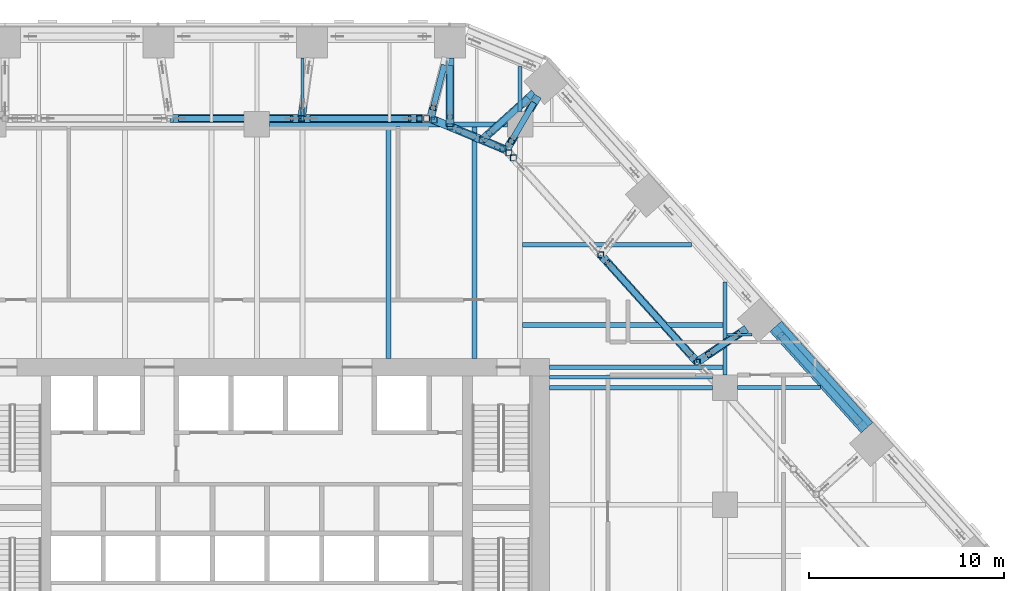
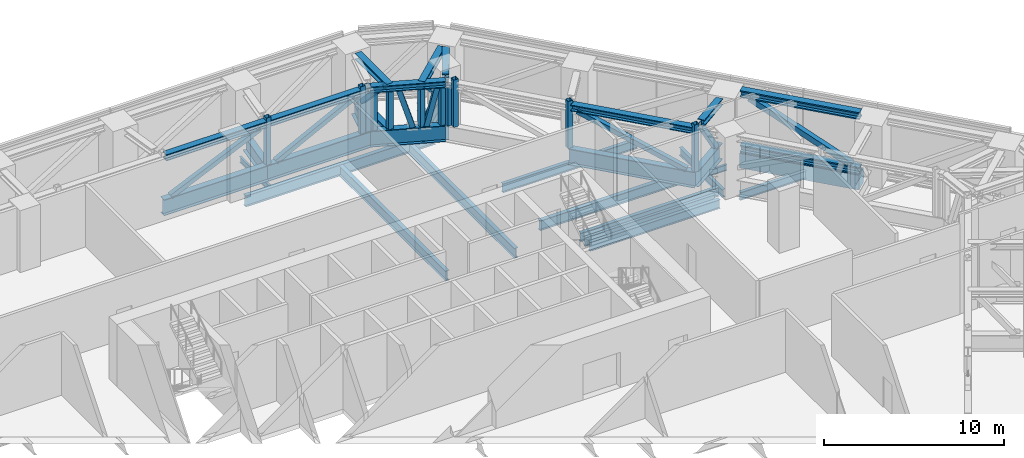
# One storey, part 14 of 36: 42 members, 14 beams.
"""IFC4 building model written with IfcOpenShell, lengths in metres."""

from ifc_helpers import new_model, si_unit, direction, frame, origin, origin_2d, place, context, subcontext, project, spatial, rectangle, hollow_rectangle, i_section, extrude, material, material_profile, profile_set, type_object, element, save


model = new_model("IFC4")

# Units and contexts
model_context = context("Model", 3, precision=1e-05, world=origin(), true_north=direction((0.0, 1.0)))
body_context = subcontext(model_context, "Body", "Model", "MODEL_VIEW")
ifc_project = project(units=[si_unit("LENGTHUNIT", "METRE"), si_unit("AREAUNIT", "SQUARE_METRE"), si_unit("VOLUMEUNIT", "CUBIC_METRE"), si_unit("PLANEANGLEUNIT", "RADIAN"), si_unit("MASSUNIT", "GRAM", prefix="KILO")], contexts=[model_context])

# Site, building, storey
site_placement = place(None, origin())
site = spatial("IfcSite", under=ifc_project, at=site_placement, CompositionType="ELEMENT")
building_placement = place(site_placement, origin())
building = spatial("IfcBuilding", under=site, at=building_placement, Name="Isthmus Gate Tower", CompositionType="ELEMENT")
storey_placement = place(building_placement, frame((0.0, 0.0, 117.14990234375)))
storey = spatial("IfcBuildingStorey", under=building, at=storey_placement, Name="L28", CompositionType="ELEMENT", Elevation=117.14990234375)

# Members
ifc_material_1 = material(Name="Structural steel ASTM A913 Gr 65", Category="steel")
ifc_material_profile_1 = material_profile(ifc_material_1, i_section(OverallWidth=0.4287109375, OverallDepth=0.482666015625, WebThickness=0.05078125, FlangeThickness=0.0810546875, at=origin_2d()), Name="W14X455")
ifc_profile_set_1 = profile_set([ifc_material_profile_1], Name="Structural steel ASTM A913 Gr 65")
member_type_1 = type_object("IfcMemberType", Name="BELT TRUSS CHORD W14X455", PredefinedType="CHORD", material=ifc_profile_set_1)
for number, where, z_axis, x_axis, name in (
    (1, (26.523681640625, 16.573486328125, 0.241455078125), (0.669128753615, -0.743146493691, 0.0), (0.743146493691, 0.669128753615, 0.0), "str-belt03-L28-01"),
    (2, (26.523681640625, 16.573486328125, 3.958740234375), (0.669128753615, -0.743146493691, 0.0), (0.743146493691, 0.669128753615, 0.0), "str-belt03-L28-02"),
):
    element("IfcMember", number, at=place(storey_placement, frame(where, z_axis=z_axis, x_axis=x_axis)), inside=storey, type_object=member_type_1, Name=name, PredefinedType="CHORD", context=body_context, shape_type="SweptSolid", body=[
        extrude(i_section(OverallWidth=0.4287109375, OverallDepth=0.482666015625, WebThickness=0.05078125, FlangeThickness=0.0810546875, at=origin_2d()), origin(), (0.0, 0.0, 1.0), 6.9892578125),
    ])

# Beams
ifc_material_2 = material(Name="Concrete f'c 70 MPa", Category="concrete")
ifc_material_profile_2 = material_profile(ifc_material_2, rectangle(XDim=0.800048828125, YDim=1.0, at=origin_2d()), Name="RC 800X1000")
ifc_profile_set_2 = profile_set([ifc_material_profile_2], Name="Concrete f'c 70 MPa")
beam_type_1 = type_object("IfcBeamType", Name="RC SPANDREL 800 X 1000", PredefinedType="SPANDREL", material=ifc_profile_set_2)
beam_1_placement = place(storey_placement, frame((26.597900390625, 16.640380859375, -0.5), z_axis=(0.669128753615, -0.743146493691, 0.0), x_axis=(0.743146493691, 0.669128753615, 0.0)))
element("IfcBeam", 3, at=beam_1_placement, inside=storey, type_object=beam_type_1, Name="str-spandrel-L28-03", PredefinedType="SPANDREL", context=body_context, shape_type="SweptSolid", body=[
    extrude(rectangle(XDim=0.800048828125, YDim=1.0, at=origin_2d()), origin(), (0.0, 0.0, 1.0), 6.9892578125),
])
ifc_material_3 = material(Name="Structural steel ASTM A992 Gr 50", Category="steel")
ifc_material_profile_3 = material_profile(ifc_material_3, i_section(OverallWidth=0.1396484375, OverallDepth=0.4033203125, WebThickness=0.00634765625, FlangeThickness=0.010986328125, at=origin_2d()), Name="W16X31")
ifc_profile_set_3 = profile_set([ifc_material_profile_3], Name="Structural steel ASTM A992 Gr 50")
beam_type_2 = type_object("IfcBeamType", Name="STEEL FLOOR BEAM W16X31", PredefinedType="JOIST", material=ifc_profile_set_3)
beam_2_placement = place(storey_placement, frame((2.33740234375, 27.1318359375, -0.50146484375), z_axis=(0.0, 1.0, 0.0), x_axis=(-1.0, 0.0, 0.0)))
element("IfcBeam", 4, at=beam_2_placement, inside=storey, type_object=beam_type_2, Name="str-beam-L28-20-00", PredefinedType="JOIST", context=body_context, shape_type="SweptSolid", body=[
    extrude(i_section(OverallWidth=0.1396484375, OverallDepth=0.4033203125, WebThickness=0.00634765625, FlangeThickness=0.010986328125, at=origin_2d()), origin(), (0.0, 0.0, 1.0), 3.26806640625),
])
beam_3_placement = place(storey_placement, frame((24.104736328125, 16.208251953125, -0.50146484375), z_axis=(1.0, 0.0, 0.0), x_axis=(0.0, 1.0, 0.0)))
element("IfcBeam", 5, at=beam_3_placement, inside=storey, type_object=beam_type_2, Name="str-beam-L28-32-00", PredefinedType="JOIST", context=body_context, shape_type="SweptSolid", body=[
    extrude(i_section(OverallWidth=0.1396484375, OverallDepth=0.4033203125, WebThickness=0.00634765625, FlangeThickness=0.010986328125, at=origin_2d()), origin(), (0.0, 0.0, 1.0), 1.267578125),
])
ifc_material_4 = material(Name="Structural steel ASTM A992 Gr 50", Category="steel")
ifc_material_profile_4 = material_profile(ifc_material_4, i_section(OverallWidth=0.177734375, OverallDepth=0.60009765625, WebThickness=0.009521484375, FlangeThickness=0.0126953125, at=origin_2d()), Name="W24X55")
ifc_profile_set_4 = profile_set([ifc_material_profile_4], Name="Structural steel ASTM A992 Gr 50")
beam_type_3 = type_object("IfcBeamType", Name="STEEL FLOOR BEAM W24X55", PredefinedType="JOIST", material=ifc_profile_set_4)
beam_4_placement = place(storey_placement, frame((15.0, 14.02490234375, -0.599853515625), z_axis=(1.0, 0.0, 0.0), x_axis=(0.0, 1.0, 0.0)))
element("IfcBeam", 6, at=beam_4_placement, inside=storey, type_object=beam_type_3, Name="str-beam-L28-29-00", PredefinedType="JOIST", context=body_context, shape_type="SweptSolid", body=[
    extrude(i_section(OverallWidth=0.177734375, OverallDepth=0.60009765625, WebThickness=0.009521484375, FlangeThickness=0.0126953125, at=origin_2d()), origin(), (0.0, 0.0, 1.0), 8.35009765625),
])
ifc_material_5 = material(Name="Structural steel ASTM A992 Gr 50", Category="steel")
ifc_material_profile_5 = material_profile(ifc_material_5, i_section(OverallWidth=0.228515625, OverallDepth=0.603271484375, WebThickness=0.010986328125, FlangeThickness=0.014404296875, at=origin_2d()), Name="W24X68")
ifc_profile_set_5 = profile_set([ifc_material_profile_5], Name="Structural steel ASTM A992 Gr 50")
beam_type_4 = type_object("IfcBeamType", Name="STEEL FLOOR BEAM W24X68", PredefinedType="JOIST", material=ifc_profile_set_5)
beam_5_placement = place(storey_placement, frame((13.626953125, 20.83203125, -0.6015625), z_axis=(1.0, 0.0, 0.0), x_axis=(0.0, 1.0, 0.0)))
element("IfcBeam", 7, at=beam_5_placement, inside=storey, type_object=beam_type_4, Name="str-beam-L28-26-01", PredefinedType="JOIST", context=body_context, shape_type="SweptSolid", body=[
    extrude(i_section(OverallWidth=0.228515625, OverallDepth=0.603271484375, WebThickness=0.010986328125, FlangeThickness=0.014404296875, at=origin_2d()), origin(), (0.0, 0.0, 1.0), 8.658447265625),
])
ifc_material_6 = material(Name="Structural steel ASTM A992 Gr 50", Category="steel")
ifc_material_profile_6 = material_profile(ifc_material_6, i_section(OverallWidth=0.25390625, OverallDepth=0.679443359375, WebThickness=0.010986328125, FlangeThickness=0.015869140625, at=origin_2d()), Name="W27X84")
ifc_profile_set_6 = profile_set([ifc_material_profile_6], Name="Structural steel ASTM A992 Gr 50")
beam_type_5 = type_object("IfcBeamType", Name="STEEL FLOOR BEAM W27X84", PredefinedType="JOIST", material=ifc_profile_set_6)
for number, where, z_axis, x_axis, name in (
    (8, (6.75, 15.0, -0.6396484375), (0.0, 1.0, 0.0), (-1.0, 0.0, 0.0), "str-beam-L28-21-01"),
    (9, (11.165283203125, 15.0, -0.6396484375), (0.0, 1.0, 0.0), (-1.0, 0.0, 0.0), "str-beam-L28-21-02"),
):
    element("IfcBeam", number, at=place(storey_placement, frame(where, z_axis=z_axis, x_axis=x_axis)), inside=storey, type_object=beam_type_5, Name=name, PredefinedType="JOIST", context=body_context, shape_type="SweptSolid", body=[
        extrude(i_section(OverallWidth=0.25390625, OverallDepth=0.679443359375, WebThickness=0.010986328125, FlangeThickness=0.015869140625, at=origin_2d()), origin(), (0.0, 0.0, 1.0), 11.8681640625),
    ])
beam_6_placement = place(storey_placement, frame((13.626953125, 16.72021484375, -0.6396484375), z_axis=(1.0, 0.0, 0.0), x_axis=(0.0, 1.0, 0.0)))
element("IfcBeam", 10, at=beam_6_placement, inside=storey, type_object=beam_type_5, Name="str-beam-L28-26-00", PredefinedType="JOIST", context=body_context, shape_type="SweptSolid", body=[
    extrude(i_section(OverallWidth=0.25390625, OverallDepth=0.679443359375, WebThickness=0.010986328125, FlangeThickness=0.015869140625, at=origin_2d()), origin(), (0.0, 0.0, 1.0), 10.268310546875),
])
ifc_material_7 = material(Name="Structural steel ASTM A992 Gr 50", Category="steel")
ifc_material_profile_7 = material_profile(ifc_material_7, i_section(OverallWidth=0.20947265625, OverallDepth=0.533447265625, WebThickness=0.009521484375, FlangeThickness=0.015869140625, at=origin_2d()), Name="W21X62")
ifc_profile_set_7 = profile_set([ifc_material_profile_7], Name="Structural steel ASTM A992 Gr 50")
beam_type_6 = type_object("IfcBeamType", Name="STEEL GIRDER W21X62", PredefinedType="BEAM", material=ifc_profile_set_7)
beam_7_placement = place(storey_placement, frame((24.64990234375, 13.5, -0.566650390625), z_axis=(1.0, 0.0, 0.0), x_axis=(0.0, 1.0, 0.0)))
element("IfcBeam", 11, at=beam_7_placement, inside=storey, type_object=beam_type_6, Name="str-girder-L28-16", PredefinedType="BEAM", context=body_context, shape_type="SweptSolid", body=[
    extrude(i_section(OverallWidth=0.20947265625, OverallDepth=0.533447265625, WebThickness=0.009521484375, FlangeThickness=0.015869140625, at=origin_2d()), origin(), (0.0, 0.0, 1.0), 4.2373046875),
])
beam_8_placement = place(storey_placement, frame((13.5, 27.64990234375, -0.566650390625), z_axis=(0.0, 1.0, 0.0), x_axis=(-1.0, 0.0, 0.0)))
element("IfcBeam", 12, at=beam_8_placement, inside=storey, type_object=beam_type_6, Name="str-girder-L28-35", PredefinedType="BEAM", context=body_context, shape_type="SweptSolid", body=[
    extrude(i_section(OverallWidth=0.20947265625, OverallDepth=0.533447265625, WebThickness=0.009521484375, FlangeThickness=0.015869140625, at=origin_2d()), origin(), (0.0, 0.0, 1.0), 2.320068359375),
])
beam_9_placement = place(storey_placement, frame((24.0, 14.14990234375, -0.566650390625), z_axis=(0.0, 1.0, 0.0), x_axis=(-1.0, 0.0, 0.0)))
element("IfcBeam", 13, at=beam_9_placement, inside=storey, type_object=beam_type_6, Name="str-girder-L28-38", PredefinedType="BEAM", context=body_context, shape_type="SweptSolid", body=[
    extrude(i_section(OverallWidth=0.20947265625, OverallDepth=0.533447265625, WebThickness=0.009521484375, FlangeThickness=0.015869140625, at=origin_2d()), origin(), (0.0, 0.0, 1.0), 4.778076171875),
])
ifc_material_8 = material(Name="Structural steel ASTM A992 Gr 50", Category="steel")
ifc_material_profile_8 = material_profile(ifc_material_8, i_section(OverallWidth=0.228515625, OverallDepth=0.6064453125, WebThickness=0.010986328125, FlangeThickness=0.017578125, at=origin_2d()), Name="W24X76")
ifc_profile_set_8 = profile_set([ifc_material_profile_8], Name="Structural steel ASTM A992 Gr 50")
beam_type_7 = type_object("IfcBeamType", Name="STEEL GIRDER W24X76", PredefinedType="BEAM", material=ifc_profile_set_8)
beam_10_placement = place(storey_placement, frame((15.0, 13.5, -0.60302734375), z_axis=(1.0, 0.0, 0.0), x_axis=(0.0, 1.0, 0.0)))
element("IfcBeam", 14, at=beam_10_placement, inside=storey, type_object=beam_type_7, Name="str-girder-L28-15", PredefinedType="BEAM", context=body_context, shape_type="SweptSolid", body=[
    extrude(i_section(OverallWidth=0.228515625, OverallDepth=0.6064453125, WebThickness=0.010986328125, FlangeThickness=0.017578125, at=origin_2d()), origin(), (0.0, 0.0, 1.0), 8.35009765625),
])
beam_11_placement = place(storey_placement, frame((15.0, 14.550048828125, -0.60302734375), z_axis=(1.0, 0.0, 0.0), x_axis=(0.0, 1.0, 0.0)))
element("IfcBeam", 15, at=beam_11_placement, inside=storey, type_object=beam_type_7, Name="str-girder-L28-42", PredefinedType="BEAM", context=body_context, shape_type="SweptSolid", body=[
    extrude(i_section(OverallWidth=0.228515625, OverallDepth=0.6064453125, WebThickness=0.010986328125, FlangeThickness=0.017578125, at=origin_2d()), origin(), (0.0, 0.0, 1.0), 8.895263671875),
])
ifc_material_9 = material(Name="Structural steel ASTM A992 Gr 50", Category="steel")
ifc_material_profile_9 = material_profile(ifc_material_9, i_section(OverallWidth=0.263427734375, OverallDepth=0.749267578125, WebThickness=0.0126953125, FlangeThickness=0.015869140625, at=origin_2d()), Name="W30X90")
ifc_profile_set_9 = profile_set([ifc_material_profile_9], Name="Structural steel ASTM A992 Gr 50")
beam_type_8 = type_object("IfcBeamType", Name="STEEL GIRDER W30X90", PredefinedType="BEAM", material=ifc_profile_set_9)
beam_12_placement = place(storey_placement, frame((0.64990234375, 27.0, -0.674560546875), z_axis=(1.0, 0.0, 0.0), x_axis=(0.0, 1.0, 0.0)))
element("IfcBeam", 16, at=beam_12_placement, inside=storey, type_object=beam_type_8, Name="str-girder-L28-19", PredefinedType="BEAM", context=body_context, shape_type="SweptSolid", body=[
    extrude(i_section(OverallWidth=0.263427734375, OverallDepth=0.749267578125, WebThickness=0.0126953125, FlangeThickness=0.015869140625, at=origin_2d()), origin(), (0.0, 0.0, 1.0), 12.2001953125),
])

# Members
ifc_material_10 = material(Name="Structural steel ASTM A913 Gr 65", Category="steel")
ifc_material_profile_10 = material_profile(ifc_material_10, i_section(OverallWidth=0.40966796875, OverallDepth=0.42529296875, WebThickness=0.033203125, FlangeThickness=0.052490234375, at=origin_2d()), Name="W14X283")
ifc_profile_set_10 = profile_set([ifc_material_profile_10], Name="Structural steel ASTM A913 Gr 65")
member_type_2 = type_object("IfcMemberType", Name="TRANSFER TRUSS CHORD W14X283", PredefinedType="CHORD", material=ifc_profile_set_10)
member_1_placement = place(storey_placement, frame((8.89892578125, 27.300048828125, 3.887451171875), z_axis=(0.923349408222, -0.383960766664, 0.0), x_axis=(0.383960766664, 0.923349408222, 0.0)))
element("IfcMember", 17, at=member_1_placement, inside=storey, type_object=member_type_2, Name="str-ring00-L28-06", PredefinedType="CHORD", context=body_context, shape_type="SweptSolid", body=[
    extrude(i_section(OverallWidth=0.40966796875, OverallDepth=0.42529296875, WebThickness=0.033203125, FlangeThickness=0.052490234375, at=origin_2d()), origin(), (0.0, 0.0, 1.0), 4.211181640625),
])
member_2_placement = place(storey_placement, frame((17.72900390625, 20.194580078125, 3.887451171875), z_axis=(0.669153156677, -0.74312452046, 0.0), x_axis=(0.74312452046, 0.669153156677, 0.0)))
element("IfcMember", 18, at=member_2_placement, inside=storey, type_object=member_type_2, Name="str-ring01-L28-15", PredefinedType="CHORD", context=body_context, shape_type="SweptSolid", body=[
    extrude(i_section(OverallWidth=0.40966796875, OverallDepth=0.42529296875, WebThickness=0.033203125, FlangeThickness=0.052490234375, at=origin_2d()), origin(), (0.0, 0.0, 1.0), 7.086181640625),
])
member_3_placement = place(storey_placement, frame((-4.30908203125, 27.300048828125, 3.887451171875), z_axis=(1.0, 0.0, 0.0), x_axis=(0.0, 1.0, 0.0)))
element("IfcMember", 19, at=member_3_placement, inside=storey, type_object=member_type_2, Name="str-ring11-L28-18", PredefinedType="CHORD", context=body_context, shape_type="SweptSolid", body=[
    extrude(i_section(OverallWidth=0.40966796875, OverallDepth=0.42529296875, WebThickness=0.033203125, FlangeThickness=0.052490234375, at=origin_2d()), origin(), (0.0, 0.0, 1.0), 6.4453125),
])
member_4_placement = place(storey_placement, frame((2.44091796875, 27.300048828125, 3.887451171875), z_axis=(1.0, 0.0, 0.0), x_axis=(0.0, 1.0, 0.0)))
element("IfcMember", 20, at=member_4_placement, inside=storey, type_object=member_type_2, Name="str-ring11-L28-19", PredefinedType="CHORD", context=body_context, shape_type="SweptSolid", body=[
    extrude(i_section(OverallWidth=0.40966796875, OverallDepth=0.42529296875, WebThickness=0.033203125, FlangeThickness=0.052490234375, at=origin_2d()), origin(), (0.0, 0.0, 1.0), 5.745361328125),
])
member_5_placement = place(storey_placement, frame((9.90185546875, 30.39990234375, 3.887451171875), z_axis=(0.0, -1.0, 0.0), x_axis=(1.0, 0.0, 0.0)))
element("IfcMember", 21, at=member_5_placement, inside=storey, type_object=member_type_2, Name="str-link00-L28-02", PredefinedType="CHORD", context=body_context, shape_type="SweptSolid", body=[
    extrude(i_section(OverallWidth=0.40966796875, OverallDepth=0.42529296875, WebThickness=0.033203125, FlangeThickness=0.052490234375, at=origin_2d()), origin(), (0.0, 0.0, 1.0), 3.51708984375),
])
member_6_placement = place(storey_placement, frame((25.10205078125, 16.520263671875, 3.887451171875), z_axis=(-0.829283220824, -0.558828542274, 0.0), x_axis=(0.558828542274, -0.829283220824, 0.0)))
element("IfcMember", 22, at=member_6_placement, inside=storey, type_object=member_type_2, Name="str-link24-L28-02", PredefinedType="CHORD", context=body_context, shape_type="SweptSolid", body=[
    extrude(i_section(OverallWidth=0.40966796875, OverallDepth=0.42529296875, WebThickness=0.033203125, FlangeThickness=0.052490234375, at=origin_2d()), origin(), (0.0, 0.0, 1.0), 2.343505859375),
])
member_7_placement = place(storey_placement, frame((14.21142578125, 28.603759765625, 3.887451171875), z_axis=(-0.74315216122, -0.669122459101, 0.0), x_axis=(0.669122459101, -0.74315216122, 0.0)))
element("IfcMember", 23, at=member_7_placement, inside=storey, type_object=member_type_2, Name="str-link26-L28-02", PredefinedType="CHORD", context=body_context, shape_type="SweptSolid", body=[
    extrude(i_section(OverallWidth=0.40966796875, OverallDepth=0.42529296875, WebThickness=0.033203125, FlangeThickness=0.052490234375, at=origin_2d()), origin(), (0.0, 0.0, 1.0), 3.59130859375),
])
member_8_placement = place(storey_placement, frame((14.40234375, 28.4482421875, 3.887451171875), z_axis=(-0.504357482711, -0.863494950555, 0.0), x_axis=(0.863494950555, -0.504357482711, 0.0)))
element("IfcMember", 24, at=member_8_placement, inside=storey, type_object=member_type_2, Name="str-link28-L28-02", PredefinedType="CHORD", context=body_context, shape_type="SweptSolid", body=[
    extrude(i_section(OverallWidth=0.40966796875, OverallDepth=0.42529296875, WebThickness=0.033203125, FlangeThickness=0.052490234375, at=origin_2d()), origin(), (0.0, 0.0, 1.0), 2.68310546875),
])
ifc_material_11 = material(Name="Structural steel ASTM A913 Gr 65", Category="steel")
ifc_material_profile_11 = material_profile(ifc_material_11, i_section(OverallWidth=0.39990234375, OverallDepth=1.089111328125, WebThickness=0.017578125, FlangeThickness=0.03173828125, at=origin_2d()), Name="W44X230")
ifc_profile_set_11 = profile_set([ifc_material_profile_11], Name="Structural steel ASTM A913 Gr 65")
member_type_3 = type_object("IfcMemberType", Name="TRANSFER TRUSS CHORD W44X230", PredefinedType="CHORD", material=ifc_profile_set_11)
member_9_placement = place(storey_placement, frame((8.89892578125, 27.300048828125, 0.544677734375), z_axis=(0.923349408222, -0.383960766664, 0.0), x_axis=(0.383960766664, 0.923349408222, 0.0)))
element("IfcMember", 25, at=member_9_placement, inside=storey, type_object=member_type_3, Name="str-ring00-L28-05", PredefinedType="CHORD", context=body_context, shape_type="SweptSolid", body=[
    extrude(i_section(OverallWidth=0.39990234375, OverallDepth=1.089111328125, WebThickness=0.017578125, FlangeThickness=0.03173828125, at=origin_2d()), origin(), (0.0, 0.0, 1.0), 4.211181640625),
])
member_10_placement = place(storey_placement, frame((17.627197265625, 20.307861328125, 0.544677734375), z_axis=(0.669123495435, -0.74315122812, 0.0), x_axis=(0.74315122812, 0.669123495435, 0.0)))
element("IfcMember", 26, at=member_10_placement, inside=storey, type_object=member_type_3, Name="str-ring01-L28-10", PredefinedType="CHORD", context=body_context, shape_type="SweptSolid", body=[
    extrude(i_section(OverallWidth=0.39990234375, OverallDepth=1.089111328125, WebThickness=0.017578125, FlangeThickness=0.03173828125, at=origin_2d()), origin(), (0.0, 0.0, 1.0), 7.390625),
])
member_11_placement = place(storey_placement, frame((-4.46142578125, 27.300048828125, 0.544677734375), z_axis=(1.0, 0.0, 0.0), x_axis=(0.0, 1.0, 0.0)))
element("IfcMember", 27, at=member_11_placement, inside=storey, type_object=member_type_3, Name="str-ring11-L28-13", PredefinedType="CHORD", context=body_context, shape_type="SweptSolid", body=[
    extrude(i_section(OverallWidth=0.39990234375, OverallDepth=1.089111328125, WebThickness=0.017578125, FlangeThickness=0.03173828125, at=origin_2d()), origin(), (0.0, 0.0, 1.0), 6.75),
])
member_12_placement = place(storey_placement, frame((2.28857421875, 27.300048828125, 0.544677734375), z_axis=(1.0, 0.0, 0.0), x_axis=(0.0, 1.0, 0.0)))
element("IfcMember", 28, at=member_12_placement, inside=storey, type_object=member_type_3, Name="str-ring11-L28-14", PredefinedType="CHORD", context=body_context, shape_type="SweptSolid", body=[
    extrude(i_section(OverallWidth=0.39990234375, OverallDepth=1.089111328125, WebThickness=0.017578125, FlangeThickness=0.03173828125, at=origin_2d()), origin(), (0.0, 0.0, 1.0), 6.6103515625),
])
member_13_placement = place(storey_placement, frame((9.90185546875, 30.39990234375, 0.544677734375), z_axis=(0.0, -1.0, 0.0), x_axis=(1.0, 0.0, 0.0)))
element("IfcMember", 29, at=member_13_placement, inside=storey, type_object=member_type_3, Name="str-link00-L28-01", PredefinedType="CHORD", context=body_context, shape_type="SweptSolid", body=[
    extrude(i_section(OverallWidth=0.39990234375, OverallDepth=1.089111328125, WebThickness=0.017578125, FlangeThickness=0.03173828125, at=origin_2d()), origin(), (0.0, 0.0, 1.0), 3.51708984375),
])
member_14_placement = place(storey_placement, frame((2.721923828125, 30.40771484375, 0.544677734375), z_axis=(-0.138185382446, -0.990406381279, 0.0), x_axis=(0.990406381279, -0.138185382446, 0.0)))
element("IfcMember", 30, at=member_14_placement, inside=storey, type_object=member_type_3, Name="str-link01-L28-01", PredefinedType="CHORD", context=body_context, shape_type="SweptSolid", body=[
    extrude(i_section(OverallWidth=0.39990234375, OverallDepth=1.089111328125, WebThickness=0.017578125, FlangeThickness=0.03173828125, at=origin_2d()), origin(), (0.0, 0.0, 1.0), 3.1376953125),
])
member_15_placement = place(storey_placement, frame((25.10205078125, 16.520263671875, 0.544677734375), z_axis=(-0.829281748319, -0.558830727417, 0.0), x_axis=(0.558830727417, -0.829281748319, 0.0)))
element("IfcMember", 31, at=member_15_placement, inside=storey, type_object=member_type_3, Name="str-link24-L28-01", PredefinedType="CHORD", context=body_context, shape_type="SweptSolid", body=[
    extrude(i_section(OverallWidth=0.39990234375, OverallDepth=1.089111328125, WebThickness=0.017578125, FlangeThickness=0.03173828125, at=origin_2d()), origin(), (0.0, 0.0, 1.0), 3.05029296875),
])
member_16_placement = place(storey_placement, frame((14.21142578125, 28.603759765625, 0.544677734375), z_axis=(-0.74315216122, -0.669122459101, 0.0), x_axis=(0.669122459101, -0.74315216122, 0.0)))
element("IfcMember", 32, at=member_16_placement, inside=storey, type_object=member_type_3, Name="str-link26-L28-01", PredefinedType="CHORD", context=body_context, shape_type="SweptSolid", body=[
    extrude(i_section(OverallWidth=0.39990234375, OverallDepth=1.089111328125, WebThickness=0.017578125, FlangeThickness=0.03173828125, at=origin_2d()), origin(), (0.0, 0.0, 1.0), 3.59130859375),
])
member_17_placement = place(storey_placement, frame((9.70263671875, 30.42529296875, 0.544677734375), z_axis=(-0.249063342963, -0.968487197227, 0.0), x_axis=(0.968487197227, -0.249063342963, 0.0)))
element("IfcMember", 33, at=member_17_placement, inside=storey, type_object=member_type_3, Name="str-link27-L28-01", PredefinedType="CHORD", context=body_context, shape_type="SweptSolid", body=[
    extrude(i_section(OverallWidth=0.39990234375, OverallDepth=1.089111328125, WebThickness=0.017578125, FlangeThickness=0.03173828125, at=origin_2d()), origin(), (0.0, 0.0, 1.0), 3.22705078125),
])
member_18_placement = place(storey_placement, frame((14.40234375, 28.4482421875, 0.544677734375), z_axis=(-0.504335510404, -0.863507783952, 0.0), x_axis=(0.863507783952, -0.504335510404, 0.0)))
element("IfcMember", 34, at=member_18_placement, inside=storey, type_object=member_type_3, Name="str-link28-L28-01", PredefinedType="CHORD", context=body_context, shape_type="SweptSolid", body=[
    extrude(i_section(OverallWidth=0.39990234375, OverallDepth=1.089111328125, WebThickness=0.017578125, FlangeThickness=0.03173828125, at=origin_2d()), origin(), (0.0, 0.0, 1.0), 3.2021484375),
])
ifc_material_12 = material(Name="Structural steel ASTM A500 Gr C", Category="steel")
ifc_material_profile_12 = material_profile(ifc_material_12, hollow_rectangle(XDim=0.3046875, YDim=0.3046875, WallThickness=0.014892578125, at=origin_2d()), Name="HSS12X12X5/8")
ifc_profile_set_12 = profile_set([ifc_material_profile_12], Name="Structural steel ASTM A500 Gr C")
member_type_4 = type_object("IfcMemberType", Name="TRANSFER TRUSS DIAGONAL HSS12X12X5/8", PredefinedType="BRACE", material=ifc_profile_set_12)
member_19_placement = place(storey_placement, frame((11.080810546875, 26.392822265625, 1.089111328125), z_axis=(-0.265757695858, 0.11049877657, 0.957686205116), x_axis=(-0.383923716509, -0.923364814091, 0.0)))
element("IfcMember", 35, at=member_19_placement, inside=storey, type_object=member_type_4, Name="str-ring00-L28-07", PredefinedType="BRACE", context=body_context, shape_type="SweptSolid", body=[
    extrude(hollow_rectangle(XDim=0.3046875, YDim=0.3046875, WallThickness=0.014892578125, at=origin_2d()), origin(), (0.0, 0.0, 1.0), 2.699951171875),
])
member_20_placement = place(storey_placement, frame((11.79541015625, 26.095458984375, 1.089111328125), z_axis=(0.208695506594, -0.086734183657, 0.974126976791), x_axis=(0.383777195252, 0.923425722191, 0.0)))
element("IfcMember", 36, at=member_20_placement, inside=storey, type_object=member_type_4, Name="str-ring00-L28-08", PredefinedType="BRACE", context=body_context, shape_type="SweptSolid", body=[
    extrude(hollow_rectangle(XDim=0.3046875, YDim=0.3046875, WallThickness=0.014892578125, at=origin_2d()), origin(), (0.0, 0.0, 1.0), 2.654296875),
])
member_21_placement = place(storey_placement, frame((22.238037109375, 15.18701171875, 1.089111328125), z_axis=(-0.620293403005, 0.688888306043, 0.375058656727), x_axis=(-0.7431364647, -0.669139891826, 0.0)))
element("IfcMember", 37, at=member_21_placement, inside=storey, type_object=member_type_4, Name="str-ring01-L28-20", PredefinedType="BRACE", context=body_context, shape_type="SweptSolid", body=[
    extrude(hollow_rectangle(XDim=0.3046875, YDim=0.3046875, WallThickness=0.014892578125, at=origin_2d()), origin(), (0.0, 0.0, 1.0), 6.89404296875),
])
member_22_placement = place(storey_placement, frame((-3.96142578125, 27.300048828125, 1.089111328125), z_axis=(0.912028709856, 0.0, 0.410126361502), x_axis=(0.0, 1.0, 0.0)))
element("IfcMember", 38, at=member_22_placement, inside=storey, type_object=member_type_4, Name="str-ring11-L28-25", PredefinedType="BRACE", context=body_context, shape_type="SweptSolid", body=[
    extrude(hollow_rectangle(XDim=0.3046875, YDim=0.3046875, WallThickness=0.014892578125, at=origin_2d()), origin(), (0.0, 0.0, 1.0), 6.3046875),
])
member_23_placement = place(storey_placement, frame((2.78857421875, 27.300048828125, 1.089111328125), z_axis=(0.890108937289, 0.0, 0.455747824744), x_axis=(0.0, 1.0, 0.0)))
element("IfcMember", 39, at=member_23_placement, inside=storey, type_object=member_type_4, Name="str-ring11-L28-26", PredefinedType="BRACE", context=body_context, shape_type="SweptSolid", body=[
    extrude(hollow_rectangle(XDim=0.3046875, YDim=0.3046875, WallThickness=0.014892578125, at=origin_2d()), origin(), (0.0, 0.0, 1.0), 5.673583984375),
])
member_24_placement = place(storey_placement, frame((9.90185546875, 29.89990234375, 1.089111328125), z_axis=(0.0, -0.697537165188, 0.716548604898), x_axis=(1.0, 0.0, 0.0)))
element("IfcMember", 40, at=member_24_placement, inside=storey, type_object=member_type_4, Name="str-link00-L28-03", PredefinedType="BRACE", context=body_context, shape_type="SweptSolid", body=[
    extrude(hollow_rectangle(XDim=0.3046875, YDim=0.3046875, WallThickness=0.014892578125, at=origin_2d()), origin(), (0.0, 0.0, 1.0), 3.608642578125),
])
member_25_placement = place(storey_placement, frame((24.687255859375, 16.24072265625, 1.089111328125), z_axis=(-0.481374240916, -0.324375965888, 0.814284393155), x_axis=(0.558819799488, -0.829289112252, 0.0)))
element("IfcMember", 41, at=member_25_placement, inside=storey, type_object=member_type_4, Name="str-link24-L28-03", PredefinedType="BRACE", context=body_context, shape_type="SweptSolid", body=[
    extrude(hollow_rectangle(XDim=0.3046875, YDim=0.3046875, WallThickness=0.014892578125, at=origin_2d()), origin(), (0.0, 0.0, 1.0), 3.175537109375),
])
member_26_placement = place(storey_placement, frame((13.83984375, 28.26904296875, 1.089111328125), z_axis=(-0.52606751199, -0.473647498752, 0.706336336142), x_axis=(0.669110464751, -0.743162960568, 0.0)))
element("IfcMember", 42, at=member_26_placement, inside=storey, type_object=member_type_4, Name="str-link26-L28-03", PredefinedType="BRACE", context=body_context, shape_type="SweptSolid", body=[
    extrude(hollow_rectangle(XDim=0.3046875, YDim=0.3046875, WallThickness=0.014892578125, at=origin_2d()), origin(), (0.0, 0.0, 1.0), 3.66064453125),
])
member_27_placement = place(storey_placement, frame((9.578125, 29.94091796875, 1.089111328125), z_axis=(-0.15996198596, -0.621897458539, 0.766587055794), x_axis=(0.968475841321, -0.249107496429, 0.0)))
element("IfcMember", 43, at=member_27_placement, inside=storey, type_object=member_type_4, Name="str-link27-L28-03", PredefinedType="BRACE", context=body_context, shape_type="SweptSolid", body=[
    extrude(hollow_rectangle(XDim=0.3046875, YDim=0.3046875, WallThickness=0.014892578125, at=origin_2d()), origin(), (0.0, 0.0, 1.0), 3.373046875),
])
member_28_placement = place(storey_placement, frame((14.150146484375, 28.016357421875, 1.089111328125), z_axis=(-0.325376820631, -0.557036459444, 0.764094436209), x_axis=(0.863482648172, -0.504378544652, 0.0)))
element("IfcMember", 44, at=member_28_placement, inside=storey, type_object=member_type_4, Name="str-link28-L28-03", PredefinedType="BRACE", context=body_context, shape_type="SweptSolid", body=[
    extrude(hollow_rectangle(XDim=0.3046875, YDim=0.3046875, WallThickness=0.014892578125, at=origin_2d()), origin(), (0.0, 0.0, 1.0), 3.384033203125),
])
ifc_material_13 = material(Name="Structural steel ASTM A500 Gr C", Category="steel")
ifc_material_profile_13 = material_profile(ifc_material_13, hollow_rectangle(XDim=0.3046875, YDim=0.3046875, WallThickness=0.014892578125, at=origin_2d()), Name="HSS12X12X5/8")
ifc_profile_set_13 = profile_set([ifc_material_profile_13], Name="Structural steel ASTM A500 Gr C")
member_type_5 = type_object("IfcMemberType", Name="TRANSFER TRUSS POST HSS12X12X5/8", PredefinedType="POST", material=ifc_profile_set_13)
for number, where, z_axis, x_axis, name in (
    (45, (9.08349609375, 27.22314453125, 1.089111328125), (0.0, 0.0, 1.0), (1.0, 0.0, 0.0), "str-ring00-L28-01"),
    (46, (9.901611328125, 26.883056640625, 1.089111328125), (0.0, 0.0, 1.0), (1.0, 0.0, 0.0), "str-ring00-L28-02"),
    (47, (11.54248046875, 26.20068359375, 1.089111328125), (0.0, 0.0, 1.0), (1.0, 0.0, 0.0), "str-ring00-L28-03"),
    (48, (12.602294921875, 25.760009765625, 1.089111328125), (0.0, 0.0, 1.0), (1.0, 0.0, 0.0), "str-ring00-L28-04"),
    (49, (12.921142578125, 25.534423828125, 1.089111328125), (0.0, 0.0, 1.0), (1.0, 0.0, 0.0), "str-ring01-L28-01"),
):
    element("IfcMember", number, at=place(storey_placement, frame(where, z_axis=z_axis, x_axis=x_axis)), inside=storey, type_object=member_type_5, Name=name, PredefinedType="POST", context=body_context, shape_type="SweptSolid", body=[
        extrude(hollow_rectangle(XDim=0.3046875, YDim=0.3046875, WallThickness=0.014892578125, at=origin_2d()), origin(), (0.0, 0.0, 1.0), 2.585693359375),
    ])
for number, where, z_axis, x_axis, name in (
    (50, (13.14990234375, 25.2802734375, 1.089111328125), (0.0, 0.0, 1.0), (1.0, 0.0, 0.0), "str-ring01-L28-02"),
    (51, (17.627197265625, 20.307861328125, 1.089111328125), (0.0, 0.0, 1.0), (1.0, 0.0, 0.0), "str-ring01-L28-03"),
    (52, (22.572509765625, 14.8154296875, 1.089111328125), (0.0, 0.0, 1.0), (1.0, 0.0, 0.0), "str-ring01-L28-04"),
    (53, (2.28857421875, 27.300048828125, 1.089111328125), (0.0, 0.0, 1.0), (1.0, 0.0, 0.0), "str-ring11-L28-07"),
    (54, (8.338623046875, 27.300048828125, 1.089111328125), (0.0, 0.0, 1.0), (1.0, 0.0, 0.0), "str-ring11-L28-08"),
):
    element("IfcMember", number, at=place(storey_placement, frame(where, z_axis=z_axis, x_axis=x_axis)), inside=storey, type_object=member_type_5, Name=name, PredefinedType="POST", context=body_context, shape_type="SweptSolid", body=[
        extrude(hollow_rectangle(XDim=0.3046875, YDim=0.3046875, WallThickness=0.014892578125, at=origin_2d()), origin(), (0.0, 0.0, 1.0), 3.2109375),
    ])
member_29_placement = place(storey_placement, frame((8.698486328125, 27.300048828125, 1.089111328125), z_axis=(0.0, 0.0, 1.0), x_axis=(1.0, 0.0, 0.0)))
element("IfcMember", 55, at=member_29_placement, inside=storey, type_object=member_type_5, Name="str-ring11-L28-09", PredefinedType="POST", context=body_context, shape_type="SweptSolid", body=[
    extrude(hollow_rectangle(XDim=0.3046875, YDim=0.3046875, WallThickness=0.014892578125, at=origin_2d()), origin(), (0.0, 0.0, 1.0), 2.585693359375),
])
ifc_material_14 = material(Name="Structural steel ASTM A500 Gr C", Category="steel")
ifc_material_profile_14 = material_profile(ifc_material_14, hollow_rectangle(XDim=0.355712890625, YDim=0.355712890625, WallThickness=0.017578125, at=origin_2d()), Name="HSS14X14X3/4")
ifc_profile_set_14 = profile_set([ifc_material_profile_14], Name="Structural steel ASTM A500 Gr C")
member_type_6 = type_object("IfcMemberType", Name="TRUSS DIAGONAL HSS14X14X3/4", PredefinedType="BRACE", material=ifc_profile_set_14)
member_30_placement = place(storey_placement, frame((26.858154296875, 16.201904296875, 3.717529296875), z_axis=(0.588739350139, -0.653871891099, -0.475223660636), x_axis=(0.7431502199, 0.669124615197, 0.0)))
element("IfcMember", 56, at=member_30_placement, inside=storey, type_object=member_type_6, Name="str-belt03-L28-03", PredefinedType="BRACE", context=body_context, shape_type="SweptSolid", body=[
    extrude(hollow_rectangle(XDim=0.355712890625, YDim=0.355712890625, WallThickness=0.017578125, at=origin_2d()), origin(), (0.0, 0.0, 1.0), 6.80712890625),
])

save(model, "model.ifc")
